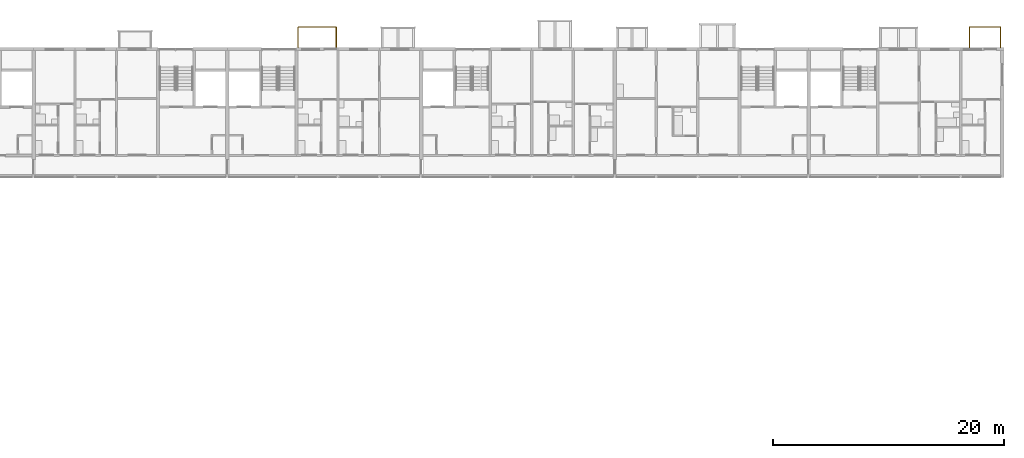
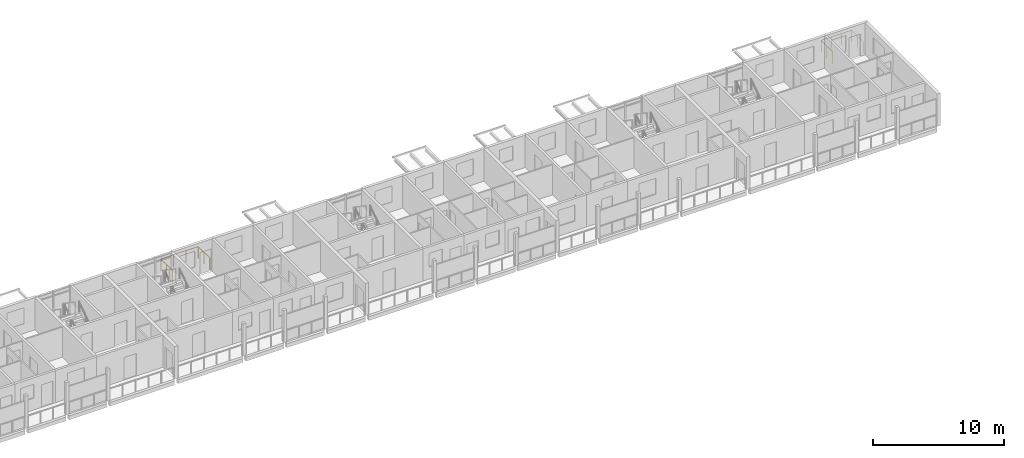
# One storey, part 96 of 99: 2 railings.
"""IFC4 building model written with IfcOpenShell, lengths in metres."""

from ifc_helpers import new_model, si_unit, direction, frame, origin, origin_2d, place, context, subcontext, project, spatial, circle, extrude, material, type_object, element, save


model = new_model("IFC4")

# Units and contexts
model_context = context("Model", 3, precision=1e-05, world=origin(), true_north=direction((0.0, 1.0)))
body_context = subcontext(model_context, "Body", "Model", "MODEL_VIEW")
ifc_project = project(units=[si_unit("LENGTHUNIT", "METRE"), si_unit("AREAUNIT", "SQUARE_METRE"), si_unit("VOLUMEUNIT", "CUBIC_METRE"), si_unit("PLANEANGLEUNIT", "RADIAN"), si_unit("MASSUNIT", "GRAM", prefix="KILO")], contexts=[model_context])

# Site, building, storey
site_placement = place(None, origin())
site = spatial("IfcSite", under=ifc_project, at=site_placement, CompositionType="ELEMENT")
building_placement = place(site_placement, origin())
building = spatial("IfcBuilding", under=site, at=building_placement, Name="Ridgestep Commons", CompositionType="ELEMENT")
storey_placement = place(building_placement, frame((0.0, 0.0, 15.0)))
storey = spatial("IfcBuildingStorey", under=building, at=storey_placement, Name="L05", CompositionType="ELEMENT", Elevation=15.0)

# Railings
ifc_material = material(Name="Weathering steel S355J2W", Category="steel")
railing_type = type_object("IfcRailingType", Name="Tray guard 1100", PredefinedType="GUARDRAIL", material=ifc_material)
railing_1_placement = place(storey_placement, frame((244.7509765625, 77.27099609375, 0.0)))
element("IfcRailing", 1, at=railing_1_placement, inside=storey, type_object=railing_type, Name="Tray guard C6T1-05", PredefinedType="GUARDRAIL", context=body_context, shape_type="SweptSolid", body=[
    extrude(circle(Radius=0.02392578125, at=origin_2d()), frame((0.0, 0.0, 1.076171875), z_axis=(0.0, 1.0, 0.0), x_axis=(-1.0, 0.0, 0.0)), (0.0, 0.0, 1.0), 1.758056640625),
    extrude(circle(Radius=0.02392578125, at=origin_2d()), frame((0.0, 1.758056640625, 1.076171875), z_axis=(1.0, 0.0, 0.0), x_axis=(0.0, 1.0, 0.0)), (0.0, 0.0, 1.0), 2.697998046875),
    extrude(circle(Radius=0.02392578125, at=origin_2d()), frame((2.697998046875, 1.758056640625, 1.076171875), z_axis=(0.0, -1.0, 0.0), x_axis=(1.0, 0.0, 0.0)), (0.0, 0.0, 1.0), 1.758056640625),
    extrude(circle(Radius=0.02099609375, at=origin_2d()), origin(), (0.0, 0.0, 1.0), 1.052001953125),
    extrude(circle(Radius=0.02099609375, at=origin_2d()), frame((0.0, 0.87890625, 0.0)), (0.0, 0.0, 1.0), 1.052001953125),
    extrude(circle(Radius=0.02099609375, at=origin_2d()), frame((0.0, 1.758056640625, 0.0)), (0.0, 0.0, 1.0), 1.052001953125),
    extrude(circle(Radius=0.02099609375, at=origin_2d()), frame((0.8994140625, 1.758056640625, 0.0)), (0.0, 0.0, 1.0), 1.052001953125),
    extrude(circle(Radius=0.02099609375, at=origin_2d()), frame((1.798583984375, 1.758056640625, 0.0)), (0.0, 0.0, 1.0), 1.052001953125),
    extrude(circle(Radius=0.02099609375, at=origin_2d()), frame((2.697998046875, 1.758056640625, 0.0)), (0.0, 0.0, 1.0), 1.052001953125),
    extrude(circle(Radius=0.02099609375, at=origin_2d()), frame((2.697998046875, 0.87890625, 0.0)), (0.0, 0.0, 1.0), 1.052001953125),
    extrude(circle(Radius=0.02099609375, at=origin_2d()), frame((2.697998046875, 0.0, 0.0)), (0.0, 0.0, 1.0), 1.052001953125),
])
railing_2_placement = place(storey_placement, frame((186.551025390625, 77.27099609375, 0.0)))
element("IfcRailing", 2, at=railing_2_placement, inside=storey, type_object=railing_type, Name="Tray guard C3T3-05", PredefinedType="GUARDRAIL", context=body_context, shape_type="SweptSolid", body=[
    extrude(circle(Radius=0.02392578125, at=origin_2d()), frame((0.0, 0.0, 1.076171875), z_axis=(0.0, 1.0, 0.0), x_axis=(-1.0, 0.0, 0.0)), (0.0, 0.0, 1.0), 1.758056640625),
    extrude(circle(Radius=0.02392578125, at=origin_2d()), frame((0.0, 1.758056640625, 1.076171875), z_axis=(1.0, 0.0, 0.0), x_axis=(0.0, 1.0, 0.0)), (0.0, 0.0, 1.0), 3.298095703125),
    extrude(circle(Radius=0.02392578125, at=origin_2d()), frame((3.298095703125, 1.758056640625, 1.076171875), z_axis=(0.0, -1.0, 0.0), x_axis=(1.0, 0.0, 0.0)), (0.0, 0.0, 1.0), 1.758056640625),
    extrude(circle(Radius=0.02099609375, at=origin_2d()), origin(), (0.0, 0.0, 1.0), 1.052001953125),
    extrude(circle(Radius=0.02099609375, at=origin_2d()), frame((0.0, 0.87890625, 0.0)), (0.0, 0.0, 1.0), 1.052001953125),
    extrude(circle(Radius=0.02099609375, at=origin_2d()), frame((0.0, 1.758056640625, 0.0)), (0.0, 0.0, 1.0), 1.052001953125),
    extrude(circle(Radius=0.02099609375, at=origin_2d()), frame((1.099365234375, 1.758056640625, 0.0)), (0.0, 0.0, 1.0), 1.052001953125),
    extrude(circle(Radius=0.02099609375, at=origin_2d()), frame((2.19873046875, 1.758056640625, 0.0)), (0.0, 0.0, 1.0), 1.052001953125),
    extrude(circle(Radius=0.02099609375, at=origin_2d()), frame((3.298095703125, 1.758056640625, 0.0)), (0.0, 0.0, 1.0), 1.052001953125),
    extrude(circle(Radius=0.02099609375, at=origin_2d()), frame((3.298095703125, 0.87890625, 0.0)), (0.0, 0.0, 1.0), 1.052001953125),
    extrude(circle(Radius=0.02099609375, at=origin_2d()), frame((3.298095703125, 0.0, 0.0)), (0.0, 0.0, 1.0), 1.052001953125),
])

save(model, "model.ifc")
